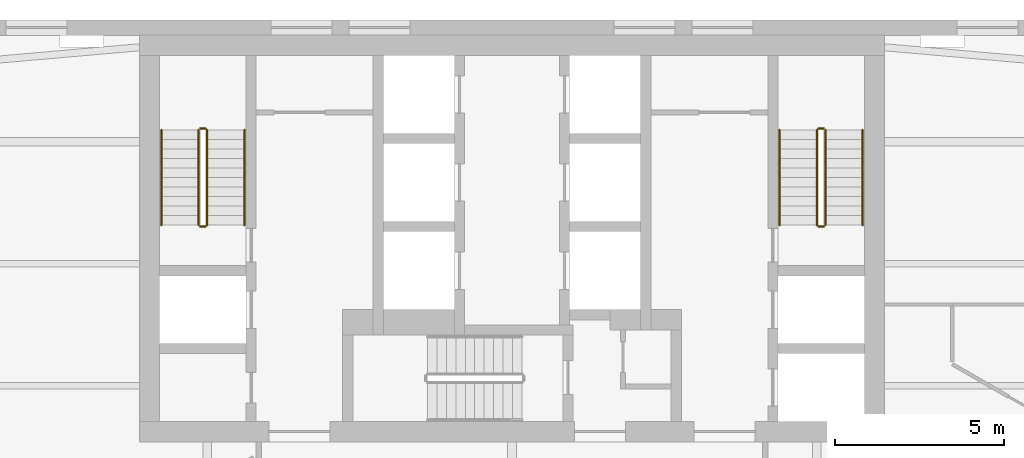
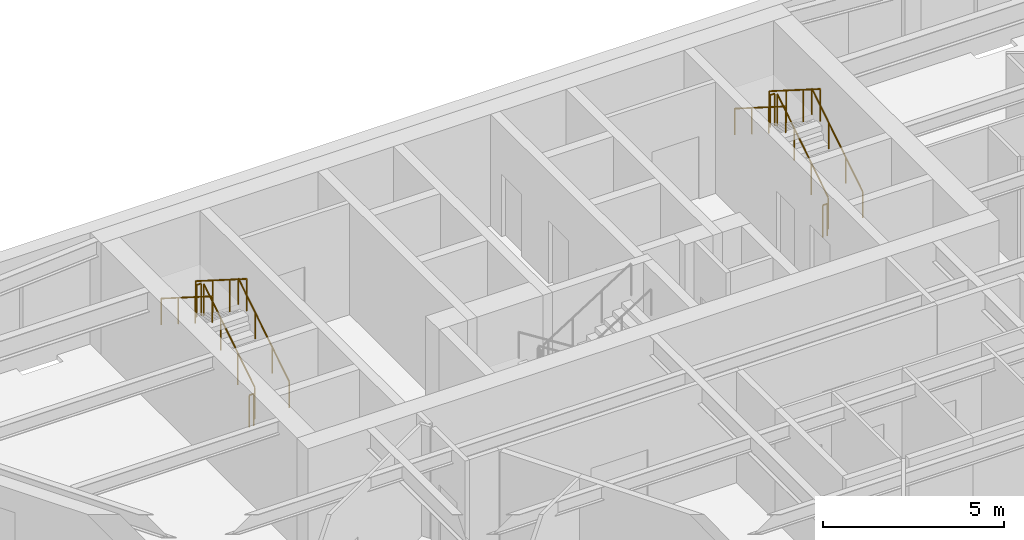
# One storey, part 7 of 7: 12 railings.
"""IFC4 building model written with IfcOpenShell, lengths in metres."""

import ifcopenshell
import ifcopenshell.guid

model = None  # the IFC model being written
_history = None  # IfcOwnerHistory: only IFC2X3 demands one
_inside = {}  # id of a spatial element -> (the spatial element, [elements in it])
_under = {}  # id of a project, library or spatial element -> (it, [spatial elements below it])
_declared = {}  # id of a project -> (the project, [libraries it declares])
_typed = {}  # id of a type object -> (the type object, [elements of that type])
_made_of = {}  # id of a material, layer set ... -> (it, [elements and type objects made of it])


def new_model(schema):
    """Start an empty IFC model of exactly this schema.

    Asked for "IFC4X3", IfcOpenShell would pick the latest addendum, in which some entities
    have other attributes; the version numbers below select the first issue.
    IFC2X3 requires an IfcOwnerHistory on every rooted entity: one is made here for all.
    """
    global model, _history
    if schema == "IFC4X3":
        model = ifcopenshell.file(schema_version=(4, 3, 0, 0))
    else:
        model = ifcopenshell.file(schema=schema)
    _inside.clear()
    _under.clear()
    _declared.clear()
    _typed.clear()
    _made_of.clear()
    _history = None
    if model.schema == "IFC2X3":
        org = make("IfcOrganization", Name="unknown")
        user = make(
            "IfcPersonAndOrganization",
            ThePerson=make("IfcPerson", FamilyName="unknown"),
            TheOrganization=org,
        )
        app = make(
            "IfcApplication",
            ApplicationDeveloper=org,
            Version="unknown",
            ApplicationFullName="unknown",
            ApplicationIdentifier="unknown",
        )
        _history = make(
            "IfcOwnerHistory",
            OwningUser=user,
            OwningApplication=app,
            ChangeAction="ADDED",
            CreationDate=0,
        )
    return model


def make(cls, **values):
    """One entity of the class cls with the attributes given. An attribute that is None is left unset."""
    return model.create_entity(
        cls, **{name: value for name, value in values.items() if value is not None}
    )


def rooted(cls, **values):
    """An entity with a GlobalId (a new one), such as an element, a storey or a relation."""
    return make(cls, GlobalId=ifcopenshell.guid.new(), OwnerHistory=_history, **values)


def si_unit(unit_type, name, prefix=None):
    """IfcSIUnit, for example si_unit("LENGTHUNIT", "METRE", prefix="MILLI")."""
    return make("IfcSIUnit", UnitType=unit_type, Prefix=prefix, Name=name)


def assignment(units):
    """IfcUnitAssignment: the units of a project."""
    return None if units is None else make("IfcUnitAssignment", Units=units)


def point(xyz):
    """IfcCartesianPoint."""
    return None if xyz is None else make("IfcCartesianPoint", Coordinates=xyz)


def direction(xyz):
    """IfcDirection."""
    return None if xyz is None else make("IfcDirection", DirectionRatios=xyz)


def frame(location, z_axis=None, x_axis=None):
    """IfcAxis2Placement3D, a coordinate frame: its origin and axes. An axis left out is left unset."""
    return make(
        "IfcAxis2Placement3D",
        Location=point(location),
        Axis=direction(z_axis),
        RefDirection=direction(x_axis),
    )


def frame_2d(location, x_axis=None):
    """IfcAxis2Placement2D, a coordinate frame in the plane: its origin and x axis."""
    return make(
        "IfcAxis2Placement2D", Location=point(location), RefDirection=direction(x_axis)
    )


def origin():
    """The frame at (0, 0, 0) with its axes left unset."""
    return frame((0.0, 0.0, 0.0))


def origin_2d():
    """The frame at (0, 0) in the plane with its x axis left unset."""
    return frame_2d((0.0, 0.0))


def place(relative_to, where):
    """IfcLocalPlacement: puts the frame where relative to a parent placement (None: the world)."""
    return make(
        "IfcLocalPlacement", PlacementRelTo=relative_to, RelativePlacement=where
    )


def context(
    kind, dimensions, precision=None, world=None, true_north=None, identifier=None
):
    """IfcGeometricRepresentationContext, for example the 3D "Model" context."""
    return make(
        "IfcGeometricRepresentationContext",
        ContextIdentifier=identifier,
        ContextType=kind,
        CoordinateSpaceDimension=dimensions,
        Precision=precision,
        WorldCoordinateSystem=world,
        TrueNorth=true_north,
    )


def subcontext(parent, identifier, kind, view, scale=None):
    """IfcGeometricRepresentationSubContext, for example "Body" below "Model"."""
    return make(
        "IfcGeometricRepresentationSubContext",
        ContextIdentifier=identifier,
        ContextType=kind,
        ParentContext=parent,
        TargetScale=scale,
        TargetView=view,
    )


def project(units=None, contexts=None):
    """IfcProject with its units and contexts."""
    return rooted(
        "IfcProject",
        Name="project",
        RepresentationContexts=contexts,
        UnitsInContext=assignment(units),
    )


def spatial(cls, under=None, at=None, **own):
    """A site, building, storey or space (cls), placed at a placement, below another one or the project."""
    s = rooted(cls, ObjectPlacement=at, **own)
    if under is not None:
        _under.setdefault(under.id(), (under, []))[1].append(s)
    return s


def profile(cls, at=None, kind="AREA", **sizes):
    """A parametric profile (cls). Its sizes go by their IFC names, for example OverallWidth=200.0."""
    return make(cls, ProfileType=kind, Position=at, **sizes)


def circle(**sizes):
    """IfcCircleProfileDef."""
    return profile("IfcCircleProfileDef", **sizes)


def extrude(swept, where, along, depth):
    """IfcExtrudedAreaSolid: the profile swept, set in the frame where, extruded along a direction by depth."""
    return make(
        "IfcExtrudedAreaSolid",
        SweptArea=swept,
        Position=where,
        ExtrudedDirection=direction(along),
        Depth=depth,
    )


def shape(context_of_items, identifier, shape_type, items):
    """IfcShapeRepresentation: the items that make up one representation, for example the "Body"."""
    return make(
        "IfcShapeRepresentation",
        ContextOfItems=context_of_items,
        RepresentationIdentifier=identifier,
        RepresentationType=shape_type,
        Items=items,
    )


def material(Name=None, Category=None):
    """IfcMaterial."""
    return make("IfcMaterial", Name=Name, Category=Category)


def made_of(thing, what):
    """Note that an element or type object is made of a material, layer set ...; save() writes the relation."""
    if what is not None:
        _made_of.setdefault(what.id(), (what, []))[1].append(thing)
    return thing


def type_object(cls, material=None, **own):
    """A type object (cls), such as IfcWallType, which elements share."""
    return made_of(rooted(cls, **own), material)


def element(
    cls,
    number,
    at=None,
    inside=None,
    cuts=None,
    type_object=None,
    material=None,
    context=None,
    identifier="Body",
    shape_type=None,
    held_by="IfcProductDefinitionShape",
    body=None,
    shapes=None,
    **own,
):
    """One element of the class cls, such as IfcWall. Its Tag is "e" and its number.

    at: its placement. inside: the storey or other place that contains it. cuts: it is an
    opening in that element (IfcRelVoidsElement). A single representation is given by context,
    identifier, shape_type and body (its items); several are given by shapes. held_by: the class
    of the entity that holds the representations. save() writes the other relations.
    """
    e = rooted(cls, Tag="e%d" % number, ObjectPlacement=at, **own)
    if body is not None:
        shapes = [shape(context, identifier, shape_type, body)]
    if shapes is not None:
        e.Representation = make(held_by, Representations=shapes)
    if inside is not None:
        _inside.setdefault(inside.id(), (inside, []))[1].append(e)
    if cuts is not None:
        rooted(
            "IfcRelVoidsElement", RelatingBuildingElement=cuts, RelatedOpeningElement=e
        )
    if type_object is not None:
        _typed.setdefault(type_object.id(), (type_object, []))[1].append(e)
    return made_of(e, material)


def aggregate(whole, parts):
    """IfcRelAggregates: a whole, such as a stair, and the parts it consists of."""
    return rooted("IfcRelAggregates", RelatingObject=whole, RelatedObjects=parts)


def save(model, path):
    """Write the relations noted so far, then the file.

    IfcRelAggregates (storeys below a building ...), IfcRelContainedInSpatialStructure (elements
    in a storey), IfcRelDefinesByType, IfcRelAssociatesMaterial and IfcRelDeclares: one each for
    every whole, place, type object, material and project.
    """
    for whole, parts in _under.values():
        aggregate(whole, parts)
    for where, things in _inside.values():
        rooted(
            "IfcRelContainedInSpatialStructure",
            RelatedElements=things,
            RelatingStructure=where,
        )
    for kind, things in _typed.values():
        rooted("IfcRelDefinesByType", RelatedObjects=things, RelatingType=kind)
    for what, things in _made_of.values():
        rooted("IfcRelAssociatesMaterial", RelatedObjects=things, RelatingMaterial=what)
    for by, libraries in _declared.values():
        rooted("IfcRelDeclares", RelatingContext=by, RelatedDefinitions=libraries)
    model.write(path)


model = new_model("IFC4")

# Units and contexts
model_context = context("Model", 3, precision=1e-05, world=origin(), true_north=direction((0.0, 1.0)))
body_context = subcontext(model_context, "Body", "Model", "MODEL_VIEW")
ifc_project = project(units=[si_unit("LENGTHUNIT", "METRE"), si_unit("AREAUNIT", "SQUARE_METRE"), si_unit("VOLUMEUNIT", "CUBIC_METRE"), si_unit("PLANEANGLEUNIT", "RADIAN"), si_unit("MASSUNIT", "GRAM", prefix="KILO")], contexts=[model_context])

# Site, building, storey
site_placement = place(None, origin())
site = spatial("IfcSite", under=ifc_project, at=site_placement, CompositionType="ELEMENT")
building_placement = place(site_placement, origin())
building = spatial("IfcBuilding", under=site, at=building_placement, Name="Aloe Facet Convention Tower", CompositionType="ELEMENT")
storey_placement = place(building_placement, frame((0.0, 0.0, 155.89990234375)))
storey = spatial("IfcBuildingStorey", under=building, at=storey_placement, Name="L39", CompositionType="ELEMENT", Elevation=155.89990234375)

# Railings
ifc_material_1 = material(Name="Steel S355 balustrade", Category="steel")
railing_type_1 = type_object("IfcRailingType", Name="CR-RL-GUARD", PredefinedType="GUARDRAIL", material=ifc_material_1)
railing_1_placement = place(storey_placement, frame((71.0, 128.949951171875, 0.177490234375)))
element("IfcRailing", 1, at=railing_1_placement, inside=storey, type_object=railing_type_1, Name="L39 ST1 stair guard 1", PredefinedType="GUARDRAIL", context=body_context, shape_type="SweptSolid", body=[
    extrude(circle(Radius=0.02392578125, at=origin_2d()), frame((0.0, 0.0, 1.076171875), z_axis=(0.0, 0.844908973607, 0.534910110503), x_axis=(-1.0, 0.0, 0.0)), (0.0, 0.0, 1.0), 3.31396484375),
    extrude(circle(Radius=0.02099609375, at=origin_2d()), origin(), (0.0, 0.0, 1.0), 1.052001953125),
    extrude(circle(Radius=0.02099609375, at=origin_2d()), frame((0.0, 0.933349609375, 0.5908203125)), (0.0, 0.0, 1.0), 1.052001953125),
    extrude(circle(Radius=0.02099609375, at=origin_2d()), frame((0.0, 1.86669921875, 1.181884765625)), (0.0, 0.0, 1.0), 1.052001953125),
    extrude(circle(Radius=0.02099609375, at=origin_2d()), frame((0.0, 2.800048828125, 1.772705078125)), (0.0, 0.0, 1.0), 1.052001953125),
])
railing_2_placement = place(storey_placement, frame((70.949951171875, 131.800048828125, 1.9501953125)))
element("IfcRailing", 2, at=railing_2_placement, inside=storey, type_object=railing_type_1, Name="L39 ST1 stair guard 2", PredefinedType="GUARDRAIL", context=body_context, shape_type="SweptSolid", body=[
    extrude(circle(Radius=0.02392578125, at=origin_2d()), frame((0.0, 0.0, 1.076171875), z_axis=(-1.0, 0.0, 0.0), x_axis=(0.0, -1.0, 0.0)), (0.0, 0.0, 1.0), 0.14990234375),
    extrude(circle(Radius=0.02099609375, at=origin_2d()), origin(), (0.0, 0.0, 1.0), 1.052001953125),
    extrude(circle(Radius=0.02099609375, at=origin_2d()), frame((-0.14990234375, 0.0, 0.0)), (0.0, 0.0, 1.0), 1.052001953125),
])
railing_3_placement = place(storey_placement, frame((70.75, 131.75, 2.12744140625)))
element("IfcRailing", 3, at=railing_3_placement, inside=storey, type_object=railing_type_1, Name="L39 ST1 stair guard 3", PredefinedType="GUARDRAIL", context=body_context, shape_type="SweptSolid", body=[
    extrude(circle(Radius=0.02392578125, at=origin_2d()), frame((0.0, 0.0, 1.076171875), z_axis=(0.0, -0.844908973607, 0.534910110503), x_axis=(1.0, 0.0, 0.0)), (0.0, 0.0, 1.0), 3.31396484375),
    extrude(circle(Radius=0.02099609375, at=origin_2d()), origin(), (0.0, 0.0, 1.0), 1.052001953125),
    extrude(circle(Radius=0.02099609375, at=origin_2d()), frame((0.0, -0.933349609375, 0.5908203125)), (0.0, 0.0, 1.0), 1.052001953125),
    extrude(circle(Radius=0.02099609375, at=origin_2d()), frame((0.0, -1.86669921875, 1.181884765625)), (0.0, 0.0, 1.0), 1.052001953125),
    extrude(circle(Radius=0.02099609375, at=origin_2d()), frame((0.0, -2.800048828125, 1.772705078125)), (0.0, 0.0, 1.0), 1.052001953125),
])
railing_4_placement = place(storey_placement, frame((70.949951171875, 128.89990234375, 0.0)))
element("IfcRailing", 4, at=railing_4_placement, inside=storey, type_object=railing_type_1, Name="L39 ST1 stair guard 4", PredefinedType="GUARDRAIL", context=body_context, shape_type="SweptSolid", body=[
    extrude(circle(Radius=0.02392578125, at=origin_2d()), frame((0.0, 0.0, 1.076171875), z_axis=(-1.0, 0.0, 0.0), x_axis=(0.0, -1.0, 0.0)), (0.0, 0.0, 1.0), 0.14990234375),
    extrude(circle(Radius=0.02099609375, at=origin_2d()), origin(), (0.0, 0.0, 1.0), 1.052001953125),
    extrude(circle(Radius=0.02099609375, at=origin_2d()), frame((-0.14990234375, 0.0, 0.0)), (0.0, 0.0, 1.0), 1.052001953125),
])
railing_5_placement = place(storey_placement, frame((89.25, 128.949951171875, 0.177490234375)))
element("IfcRailing", 5, at=railing_5_placement, inside=storey, type_object=railing_type_1, Name="L39 ST2 stair guard 1", PredefinedType="GUARDRAIL", context=body_context, shape_type="SweptSolid", body=[
    extrude(circle(Radius=0.02392578125, at=origin_2d()), frame((0.0, 0.0, 1.076171875), z_axis=(0.0, 0.844908973607, 0.534910110503), x_axis=(-1.0, 0.0, 0.0)), (0.0, 0.0, 1.0), 3.31396484375),
    extrude(circle(Radius=0.02099609375, at=origin_2d()), origin(), (0.0, 0.0, 1.0), 1.052001953125),
    extrude(circle(Radius=0.02099609375, at=origin_2d()), frame((0.0, 0.933349609375, 0.5908203125)), (0.0, 0.0, 1.0), 1.052001953125),
    extrude(circle(Radius=0.02099609375, at=origin_2d()), frame((0.0, 1.86669921875, 1.181884765625)), (0.0, 0.0, 1.0), 1.052001953125),
    extrude(circle(Radius=0.02099609375, at=origin_2d()), frame((0.0, 2.800048828125, 1.772705078125)), (0.0, 0.0, 1.0), 1.052001953125),
])
railing_6_placement = place(storey_placement, frame((89.199951171875, 131.800048828125, 1.9501953125)))
element("IfcRailing", 6, at=railing_6_placement, inside=storey, type_object=railing_type_1, Name="L39 ST2 stair guard 2", PredefinedType="GUARDRAIL", context=body_context, shape_type="SweptSolid", body=[
    extrude(circle(Radius=0.02392578125, at=origin_2d()), frame((0.0, 0.0, 1.076171875), z_axis=(-1.0, 0.0, 0.0), x_axis=(0.0, -1.0, 0.0)), (0.0, 0.0, 1.0), 0.14990234375),
    extrude(circle(Radius=0.02099609375, at=origin_2d()), origin(), (0.0, 0.0, 1.0), 1.052001953125),
    extrude(circle(Radius=0.02099609375, at=origin_2d()), frame((-0.14990234375, 0.0, 0.0)), (0.0, 0.0, 1.0), 1.052001953125),
])
railing_7_placement = place(storey_placement, frame((89.0, 131.75, 2.12744140625)))
element("IfcRailing", 7, at=railing_7_placement, inside=storey, type_object=railing_type_1, Name="L39 ST2 stair guard 3", PredefinedType="GUARDRAIL", context=body_context, shape_type="SweptSolid", body=[
    extrude(circle(Radius=0.02392578125, at=origin_2d()), frame((0.0, 0.0, 1.076171875), z_axis=(0.0, -0.844908973607, 0.534910110503), x_axis=(1.0, 0.0, 0.0)), (0.0, 0.0, 1.0), 3.31396484375),
    extrude(circle(Radius=0.02099609375, at=origin_2d()), origin(), (0.0, 0.0, 1.0), 1.052001953125),
    extrude(circle(Radius=0.02099609375, at=origin_2d()), frame((0.0, -0.933349609375, 0.5908203125)), (0.0, 0.0, 1.0), 1.052001953125),
    extrude(circle(Radius=0.02099609375, at=origin_2d()), frame((0.0, -1.86669921875, 1.181884765625)), (0.0, 0.0, 1.0), 1.052001953125),
    extrude(circle(Radius=0.02099609375, at=origin_2d()), frame((0.0, -2.800048828125, 1.772705078125)), (0.0, 0.0, 1.0), 1.052001953125),
])
railing_8_placement = place(storey_placement, frame((89.199951171875, 128.89990234375, 0.0)))
element("IfcRailing", 8, at=railing_8_placement, inside=storey, type_object=railing_type_1, Name="L39 ST2 stair guard 4", PredefinedType="GUARDRAIL", context=body_context, shape_type="SweptSolid", body=[
    extrude(circle(Radius=0.02392578125, at=origin_2d()), frame((0.0, 0.0, 1.076171875), z_axis=(-1.0, 0.0, 0.0), x_axis=(0.0, -1.0, 0.0)), (0.0, 0.0, 1.0), 0.14990234375),
    extrude(circle(Radius=0.02099609375, at=origin_2d()), origin(), (0.0, 0.0, 1.0), 1.052001953125),
    extrude(circle(Radius=0.02099609375, at=origin_2d()), frame((-0.14990234375, 0.0, 0.0)), (0.0, 0.0, 1.0), 1.052001953125),
])
ifc_material_2 = material(Name="Steel S355 handrail", Category="steel")
railing_type_2 = type_object("IfcRailingType", Name="CR-RL-HAND", PredefinedType="HANDRAIL", material=ifc_material_2)
railing_9_placement = place(storey_placement, frame((72.10009765625, 128.949951171875, 0.177490234375)))
element("IfcRailing", 9, at=railing_9_placement, inside=storey, type_object=railing_type_2, Name="L39 ST1 stair handrail 1", PredefinedType="HANDRAIL", context=body_context, shape_type="SweptSolid", body=[
    extrude(circle(Radius=0.02392578125, at=origin_2d()), frame((0.0, 0.0, 0.8759765625), z_axis=(0.0, 0.844908973607, 0.534910110503), x_axis=(-1.0, 0.0, 0.0)), (0.0, 0.0, 1.0), 3.31396484375),
    extrude(circle(Radius=0.02099609375, at=origin_2d()), origin(), (0.0, 0.0, 1.0), 0.851806640625),
    extrude(circle(Radius=0.02099609375, at=origin_2d()), frame((0.0, 0.933349609375, 0.5908203125)), (0.0, 0.0, 1.0), 0.851806640625),
    extrude(circle(Radius=0.02099609375, at=origin_2d()), frame((0.0, 1.86669921875, 1.181884765625)), (0.0, 0.0, 1.0), 0.851806640625),
    extrude(circle(Radius=0.02099609375, at=origin_2d()), frame((0.0, 2.800048828125, 1.772705078125)), (0.0, 0.0, 1.0), 0.851806640625),
])
railing_10_placement = place(storey_placement, frame((69.64990234375, 131.75, 2.12744140625)))
element("IfcRailing", 10, at=railing_10_placement, inside=storey, type_object=railing_type_2, Name="L39 ST1 stair handrail 2", PredefinedType="HANDRAIL", context=body_context, shape_type="SweptSolid", body=[
    extrude(circle(Radius=0.02392578125, at=origin_2d()), frame((0.0, 0.0, 0.8759765625), z_axis=(0.0, -0.844908973607, 0.534910110503), x_axis=(1.0, 0.0, 0.0)), (0.0, 0.0, 1.0), 3.31396484375),
    extrude(circle(Radius=0.02099609375, at=origin_2d()), origin(), (0.0, 0.0, 1.0), 0.851806640625),
    extrude(circle(Radius=0.02099609375, at=origin_2d()), frame((0.0, -0.933349609375, 0.5908203125)), (0.0, 0.0, 1.0), 0.851806640625),
    extrude(circle(Radius=0.02099609375, at=origin_2d()), frame((0.0, -1.86669921875, 1.181884765625)), (0.0, 0.0, 1.0), 0.851806640625),
    extrude(circle(Radius=0.02099609375, at=origin_2d()), frame((0.0, -2.800048828125, 1.772705078125)), (0.0, 0.0, 1.0), 0.851806640625),
])
railing_11_placement = place(storey_placement, frame((90.35009765625, 128.949951171875, 0.177490234375)))
element("IfcRailing", 11, at=railing_11_placement, inside=storey, type_object=railing_type_2, Name="L39 ST2 stair handrail 1", PredefinedType="HANDRAIL", context=body_context, shape_type="SweptSolid", body=[
    extrude(circle(Radius=0.02392578125, at=origin_2d()), frame((0.0, 0.0, 0.8759765625), z_axis=(0.0, 0.844908973607, 0.534910110503), x_axis=(-1.0, 0.0, 0.0)), (0.0, 0.0, 1.0), 3.31396484375),
    extrude(circle(Radius=0.02099609375, at=origin_2d()), origin(), (0.0, 0.0, 1.0), 0.851806640625),
    extrude(circle(Radius=0.02099609375, at=origin_2d()), frame((0.0, 0.933349609375, 0.5908203125)), (0.0, 0.0, 1.0), 0.851806640625),
    extrude(circle(Radius=0.02099609375, at=origin_2d()), frame((0.0, 1.86669921875, 1.181884765625)), (0.0, 0.0, 1.0), 0.851806640625),
    extrude(circle(Radius=0.02099609375, at=origin_2d()), frame((0.0, 2.800048828125, 1.772705078125)), (0.0, 0.0, 1.0), 0.851806640625),
])
railing_12_placement = place(storey_placement, frame((87.89990234375, 131.75, 2.12744140625)))
element("IfcRailing", 12, at=railing_12_placement, inside=storey, type_object=railing_type_2, Name="L39 ST2 stair handrail 2", PredefinedType="HANDRAIL", context=body_context, shape_type="SweptSolid", body=[
    extrude(circle(Radius=0.02392578125, at=origin_2d()), frame((0.0, 0.0, 0.8759765625), z_axis=(0.0, -0.844908973607, 0.534910110503), x_axis=(1.0, 0.0, 0.0)), (0.0, 0.0, 1.0), 3.31396484375),
    extrude(circle(Radius=0.02099609375, at=origin_2d()), origin(), (0.0, 0.0, 1.0), 0.851806640625),
    extrude(circle(Radius=0.02099609375, at=origin_2d()), frame((0.0, -0.933349609375, 0.5908203125)), (0.0, 0.0, 1.0), 0.851806640625),
    extrude(circle(Radius=0.02099609375, at=origin_2d()), frame((0.0, -1.86669921875, 1.181884765625)), (0.0, 0.0, 1.0), 0.851806640625),
    extrude(circle(Radius=0.02099609375, at=origin_2d()), frame((0.0, -2.800048828125, 1.772705078125)), (0.0, 0.0, 1.0), 0.851806640625),
])

save(model, "model.ifc")
